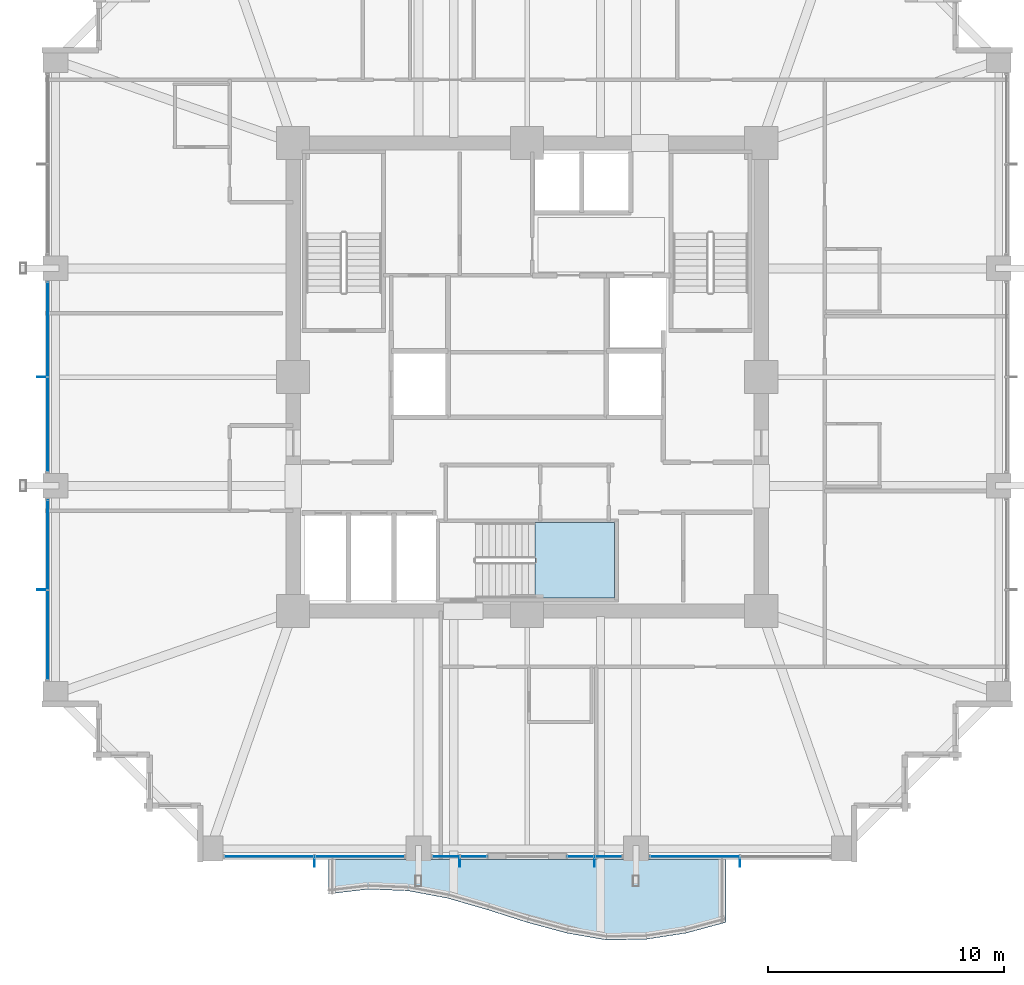
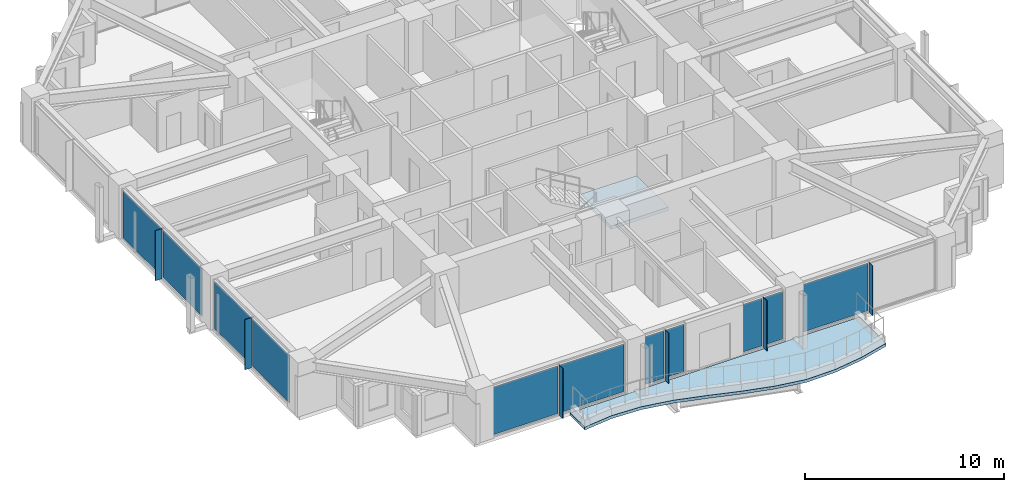
# One storey, part 27 of 38: 17 plates, 2 slabs, 7 elements without a shape of their own.
"""IFC4 building model written with IfcOpenShell, lengths in metres."""

from ifc_helpers import new_model, si_unit, direction, frame, origin, origin_2d, place, context, subcontext, project, spatial, polyline, rectangle, outline, extrude, material, layer, layer_set, type_object, element, aggregate, save


model = new_model("IFC4")

# Units and contexts
model_context = context("Model", 3, precision=1e-05, world=origin(), true_north=direction((0.0, 1.0)))
body_context = subcontext(model_context, "Body", "Model", "MODEL_VIEW")
ifc_project = project(units=[si_unit("LENGTHUNIT", "METRE"), si_unit("AREAUNIT", "SQUARE_METRE"), si_unit("VOLUMEUNIT", "CUBIC_METRE"), si_unit("PLANEANGLEUNIT", "RADIAN"), si_unit("MASSUNIT", "GRAM", prefix="KILO")], contexts=[model_context])

# Site, building, storey
site_placement = place(None, origin())
site = spatial("IfcSite", under=ifc_project, at=site_placement, CompositionType="ELEMENT")
building_placement = place(site_placement, origin())
building = spatial("IfcBuilding", under=site, at=building_placement, Name="Kolvaren Belvedere", CompositionType="ELEMENT")
storey_placement = place(building_placement, frame((0.0, 0.0, 78.800048828125)))
storey = spatial("IfcBuildingStorey", under=building, at=storey_placement, Name="L22", CompositionType="ELEMENT", Elevation=78.800048828125)

# Curtain wall, plate
ifc_material_1 = material(Name="Anodised pale-metal aluminium AA 6063-T6", Category="aluminium")
curtain_wall_type = type_object("IfcCurtainWallType", Name="CW-Z2-MID", PredefinedType="NOTDEFINED", material=ifc_material_1)
curtain_wall_1_placement = place(storey_placement, origin())
curtain_wall_1 = element("IfcCurtainWall", 1, at=curtain_wall_1_placement, inside=storey, type_object=curtain_wall_type, Name="L22 Unitised Curtain Wall FCW-L22-S1-B1", PredefinedType="NOTDEFINED")
ifc_material_2 = material(Name="Low-iron triple insulated glass", Category="glass")
ifc_layer_1 = layer(ifc_material_2, 0.028076171875)
ifc_layer_set_1 = layer_set([ifc_layer_1], Name="Low-iron triple insulated glass")
plate_type_1 = type_object("IfcPlateType", Name="CW-PNL-VIS28", PredefinedType="CURTAIN_PANEL", material=ifc_layer_set_1)
plate_1_placement = place(storey_placement, frame((7.0888671875, -20.280029296875, 0.080078125), z_axis=(0.0, 0.0, 1.0), x_axis=(-1.0, 0.0, 0.0)))
plate_1 = element("IfcPlate", 2, at=plate_1_placement, type_object=plate_type_1, Name="FCW-L22-S1-B1 Vision Glazing Panel 2", PredefinedType="CURTAIN_PANEL", context=body_context, shape_type="SweptSolid", body=[
    extrude(rectangle(XDim=3.742431640625, YDim=0.028076171875, at=origin_2d()), origin(), (0.0, 0.0, 1.0), 2.919921875),
])
aggregate(curtain_wall_1, [plate_1])

# Curtain wall, plates
curtain_wall_2_placement = place(storey_placement, origin())
curtain_wall_2 = element("IfcCurtainWall", 3, at=curtain_wall_2_placement, inside=storey, type_object=curtain_wall_type, Name="L22 Unitised Curtain Wall FCW-L22-S1-B2", PredefinedType="NOTDEFINED")
plate_2_placement = place(storey_placement, frame((3.43701171875, -20.280029296875, 0.080078125), z_axis=(0.0, 0.0, 1.0), x_axis=(-1.0, 0.0, 0.0)))
plate_2 = element("IfcPlate", 4, at=plate_2_placement, type_object=plate_type_1, Name="FCW-L22-S1-B2 Vision Glazing Panel 1", PredefinedType="CURTAIN_PANEL", context=body_context, shape_type="SweptSolid", body=[
    extrude(rectangle(XDim=1.09130859375, YDim=0.028076171875, at=origin_2d()), origin(), (0.0, 0.0, 1.0), 2.919921875),
])
plate_3_placement = place(storey_placement, frame((2.265625, -20.280029296875, 0.080078125), z_axis=(0.0, 0.0, 1.0), x_axis=(-1.0, 0.0, 0.0)))
plate_3 = element("IfcPlate", 5, at=plate_3_placement, type_object=plate_type_1, Name="FCW-L22-S1-B2 Vision Glazing Panel 2", PredefinedType="CURTAIN_PANEL", context=body_context, shape_type="SweptSolid", body=[
    extrude(rectangle(XDim=1.09130859375, YDim=0.028076171875, at=origin_2d()), origin(), (0.0, 0.0, 1.0), 2.919921875),
])
aggregate(curtain_wall_2, [plate_2, plate_3])

curtain_wall_3_placement = place(storey_placement, origin())
curtain_wall_3 = element("IfcCurtainWall", 6, at=curtain_wall_3_placement, inside=storey, type_object=curtain_wall_type, Name="L22 Unitised Curtain Wall FCW-L22-S2-B1", PredefinedType="NOTDEFINED")
plate_4_placement = place(storey_placement, frame((-2.265625, -20.280029296875, 0.080078125), z_axis=(0.0, 0.0, 1.0), x_axis=(-1.0, 0.0, 0.0)))
plate_4 = element("IfcPlate", 7, at=plate_4_placement, type_object=plate_type_1, Name="FCW-L22-S2-B1 Vision Glazing Panel 1", PredefinedType="CURTAIN_PANEL", context=body_context, shape_type="SweptSolid", body=[
    extrude(rectangle(XDim=1.09130859375, YDim=0.028076171875, at=origin_2d()), origin(), (0.0, 0.0, 1.0), 2.919921875),
])
plate_5_placement = place(storey_placement, frame((-3.43701171875, -20.280029296875, 0.080078125), z_axis=(0.0, 0.0, 1.0), x_axis=(-1.0, 0.0, 0.0)))
plate_5 = element("IfcPlate", 8, at=plate_5_placement, type_object=plate_type_1, Name="FCW-L22-S2-B1 Vision Glazing Panel 2", PredefinedType="CURTAIN_PANEL", context=body_context, shape_type="SweptSolid", body=[
    extrude(rectangle(XDim=1.09130859375, YDim=0.028076171875, at=origin_2d()), origin(), (0.0, 0.0, 1.0), 2.919921875),
])
aggregate(curtain_wall_3, [plate_4, plate_5])

curtain_wall_4_placement = place(storey_placement, origin())
curtain_wall_4 = element("IfcCurtainWall", 9, at=curtain_wall_4_placement, inside=storey, type_object=curtain_wall_type, Name="L22 Unitised Curtain Wall FCW-L22-S2-B2", PredefinedType="NOTDEFINED")
plate_6_placement = place(storey_placement, frame((-7.0888671875, -20.280029296875, 0.080078125), z_axis=(0.0, 0.0, 1.0), x_axis=(-1.0, 0.0, 0.0)))
plate_6 = element("IfcPlate", 10, at=plate_6_placement, type_object=plate_type_1, Name="FCW-L22-S2-B2 Vision Glazing Panel 1", PredefinedType="CURTAIN_PANEL", context=body_context, shape_type="SweptSolid", body=[
    extrude(rectangle(XDim=3.742431640625, YDim=0.028076171875, at=origin_2d()), origin(), (0.0, 0.0, 1.0), 2.919921875),
])
plate_7_placement = place(storey_placement, frame((-10.9111328125, -20.280029296875, 0.080078125), z_axis=(0.0, 0.0, 1.0), x_axis=(-1.0, 0.0, 0.0)))
plate_7 = element("IfcPlate", 11, at=plate_7_placement, type_object=plate_type_1, Name="FCW-L22-S2-B2 Vision Glazing Panel 2", PredefinedType="CURTAIN_PANEL", context=body_context, shape_type="SweptSolid", body=[
    extrude(rectangle(XDim=3.742431640625, YDim=0.028076171875, at=origin_2d()), origin(), (0.0, 0.0, 1.0), 2.919921875),
])
aggregate(curtain_wall_4, [plate_6, plate_7])

curtain_wall_5_placement = place(storey_placement, origin())
curtain_wall_5 = element("IfcCurtainWall", 12, at=curtain_wall_5_placement, inside=storey, type_object=curtain_wall_type, Name="L22 Unitised Curtain Wall FCW-L22-W-B1", PredefinedType="NOTDEFINED")
plate_8_placement = place(storey_placement, frame((-20.280029296875, -10.9111328125, 0.080078125), z_axis=(0.0, 0.0, 1.0), x_axis=(0.0, 1.0, 0.0)))
plate_8 = element("IfcPlate", 13, at=plate_8_placement, type_object=plate_type_1, Name="FCW-L22-W-B1 Vision Glazing Panel 1", PredefinedType="CURTAIN_PANEL", context=body_context, shape_type="SweptSolid", body=[
    extrude(rectangle(XDim=3.742431640625, YDim=0.028076171875, at=origin_2d()), origin(), (0.0, 0.0, 1.0), 2.919921875),
])
plate_9_placement = place(storey_placement, frame((-20.280029296875, -7.0888671875, 0.080078125), z_axis=(0.0, 0.0, 1.0), x_axis=(0.0, 1.0, 0.0)))
plate_9 = element("IfcPlate", 14, at=plate_9_placement, type_object=plate_type_1, Name="FCW-L22-W-B1 Vision Glazing Panel 2", PredefinedType="CURTAIN_PANEL", context=body_context, shape_type="SweptSolid", body=[
    extrude(rectangle(XDim=3.742431640625, YDim=0.028076171875, at=origin_2d()), origin(), (0.0, 0.0, 1.0), 2.919921875),
])
aggregate(curtain_wall_5, [plate_8, plate_9])

curtain_wall_6_placement = place(storey_placement, origin())
curtain_wall_6 = element("IfcCurtainWall", 15, at=curtain_wall_6_placement, inside=storey, type_object=curtain_wall_type, Name="L22 Unitised Curtain Wall FCW-L22-W-B2", PredefinedType="NOTDEFINED")
plate_10_placement = place(storey_placement, frame((-20.280029296875, -2.01123046875, 0.080078125), z_axis=(0.0, 0.0, 1.0), x_axis=(0.0, 1.0, 0.0)))
plate_10 = element("IfcPlate", 16, at=plate_10_placement, type_object=plate_type_1, Name="FCW-L22-W-B2 Vision Glazing Panel 1", PredefinedType="CURTAIN_PANEL", context=body_context, shape_type="SweptSolid", body=[
    extrude(rectangle(XDim=3.9423828125, YDim=0.028076171875, at=origin_2d()), origin(), (0.0, 0.0, 1.0), 2.919921875),
])
plate_11_placement = place(storey_placement, frame((-20.280029296875, 2.01123046875, 0.080078125), z_axis=(0.0, 0.0, 1.0), x_axis=(0.0, 1.0, 0.0)))
plate_11 = element("IfcPlate", 17, at=plate_11_placement, type_object=plate_type_1, Name="FCW-L22-W-B2 Vision Glazing Panel 2", PredefinedType="CURTAIN_PANEL", context=body_context, shape_type="SweptSolid", body=[
    extrude(rectangle(XDim=3.9423828125, YDim=0.028076171875, at=origin_2d()), origin(), (0.0, 0.0, 1.0), 2.919921875),
])
aggregate(curtain_wall_6, [plate_10, plate_11])

# Plates
ifc_material_3 = material(Name="Anodised pale-metal aluminium AA 6063-T6", Category="aluminium")
ifc_layer_2 = layer(ifc_material_3, 0.033935546875)
ifc_layer_set_2 = layer_set([ifc_layer_2], Name="Anodised pale-metal aluminium AA 6063-T6")
plate_type_2 = type_object("IfcPlateType", Name="FIN-VERT-380", PredefinedType="USERDEFINED", material=ifc_layer_set_2)
for number, where, z_axis, x_axis, name in (
    (18, (9.0, -20.52490234375, 0.0), (0.0, 0.0, 1.0), (0.0, 1.0, 0.0), "L22 Pale-Metal Vertical Shading Fin FCW-L22-S1-B1-1"),
    (19, (2.851318359375, -20.52490234375, 0.0), (0.0, 0.0, 1.0), (0.0, 1.0, 0.0), "L22 Pale-Metal Vertical Shading Fin FCW-L22-S1-B2-1"),
    (20, (-2.851318359375, -20.52490234375, 0.0), (0.0, 0.0, 1.0), (0.0, 1.0, 0.0), "L22 Pale-Metal Vertical Shading Fin FCW-L22-S2-B1-1"),
    (21, (-9.0, -20.52490234375, 0.0), (0.0, 0.0, 1.0), (0.0, 1.0, 0.0), "L22 Pale-Metal Vertical Shading Fin FCW-L22-S2-B2-1"),
    (22, (-20.52490234375, -9.0, 0.0), (0.0, 0.0, 1.0), (1.0, 0.0, 0.0), "L22 Pale-Metal Vertical Shading Fin FCW-L22-W-B1-1"),
    (23, (-20.52490234375, 0.0, 0.0), (0.0, 0.0, 1.0), (1.0, 0.0, 0.0), "L22 Pale-Metal Vertical Shading Fin FCW-L22-W-B2-1"),
):
    element("IfcPlate", number, at=place(storey_placement, frame(where, z_axis=z_axis, x_axis=x_axis)), inside=storey, type_object=plate_type_2, Name=name, ObjectType="VERTICAL FIN", PredefinedType="USERDEFINED", context=body_context, shape_type="SweptSolid", body=[
        extrude(rectangle(XDim=0.3798828125, YDim=0.033935546875, at=origin_2d()), origin(), (0.0, 0.0, 1.0), 3.080078125),
    ])

# Slab
ifc_material_4 = material(Name="Concrete C50/60", Category="concrete")
ifc_layer_3 = layer(ifc_material_4, 0.179931640625)
ifc_layer_set_3 = layer_set([ifc_layer_3], Name="Concrete C50/60")
slab_type_1 = type_object("IfcSlabType", Name="SL-BAL-180", PredefinedType="FLOOR", material=ifc_layer_set_3)
slab_1_placement = place(storey_placement, frame((0.0, 0.0, -0.219970703125)))
element("IfcSlab", 24, at=slab_1_placement, inside=storey, type_object=slab_type_1, Name="L22 Planted Balcony BAL-S", PredefinedType="FLOOR", context=body_context, shape_type="SweptSolid", body=[
    extrude(outline(polyline([(-8.39990234375, -21.8662109375), (-6.719970703125, -21.66845703125), (-5.0400390625, -21.73583984375), (-3.360107421875, -22.051513671875), (-1.679931640625, -22.53759765625), (0.0, -23.07373046875), (1.679931640625, -23.52734375), (3.360107421875, -23.820068359375), (5.0400390625, -23.7861328125), (6.719970703125, -23.52734375), (8.39990234375, -23.07373046875), (8.39990234375, -20.39990234375), (6.719970703125, -20.39990234375), (5.0400390625, -20.39990234375), (3.360107421875, -20.39990234375), (1.679931640625, -20.39990234375), (0.0, -20.39990234375), (-1.679931640625, -20.39990234375), (-3.360107421875, -20.39990234375), (-5.0400390625, -20.39990234375), (-6.719970703125, -20.39990234375), (-8.39990234375, -20.39990234375), (-8.39990234375, -21.8662109375)])), origin(), (0.0, 0.0, 1.0), 0.179931640625),
])

# Stair, slab
ifc_material_5 = material(Name="Concrete C50/60", Category="concrete")
stair_type = type_object("IfcStairType", Name="ST-CORE-1520", PredefinedType="HALF_TURN_STAIR", material=ifc_material_5)
stair_placement = place(storey_placement, origin())
stair = element("IfcStair", 25, at=stair_placement, inside=storey, type_object=stair_type, Name="L22 Protected Exit Stair ST-3", PredefinedType="HALF_TURN_STAIR")
ifc_material_6 = material(Name="Concrete C50/60", Category="concrete")
ifc_layer_4 = layer(ifc_material_6, 0.260009765625)
ifc_layer_set_4 = layer_set([ifc_layer_4], Name="Concrete C50/60")
slab_type_2 = type_object("IfcSlabType", Name="SL-LAND-260", PredefinedType="LANDING", material=ifc_layer_set_4)
slab_2_placement = place(storey_placement, frame((0.0, 0.0, 1.449951171875)))
slab_2 = element("IfcSlab", 26, at=slab_2_placement, type_object=slab_type_2, Name="ST-3 landing 1", PredefinedType="LANDING", context=body_context, shape_type="SweptSolid", body=[
    extrude(outline(polyline([(0.340087890625, -9.35009765625), (3.699951171875, -9.35009765625), (3.699951171875, -6.159912109375), (0.340087890625, -6.159912109375), (0.340087890625, -9.35009765625)])), origin(), (0.0, 0.0, 1.0), 0.199951171875),
])
aggregate(stair, [slab_2])

save(model, "model.ifc")
